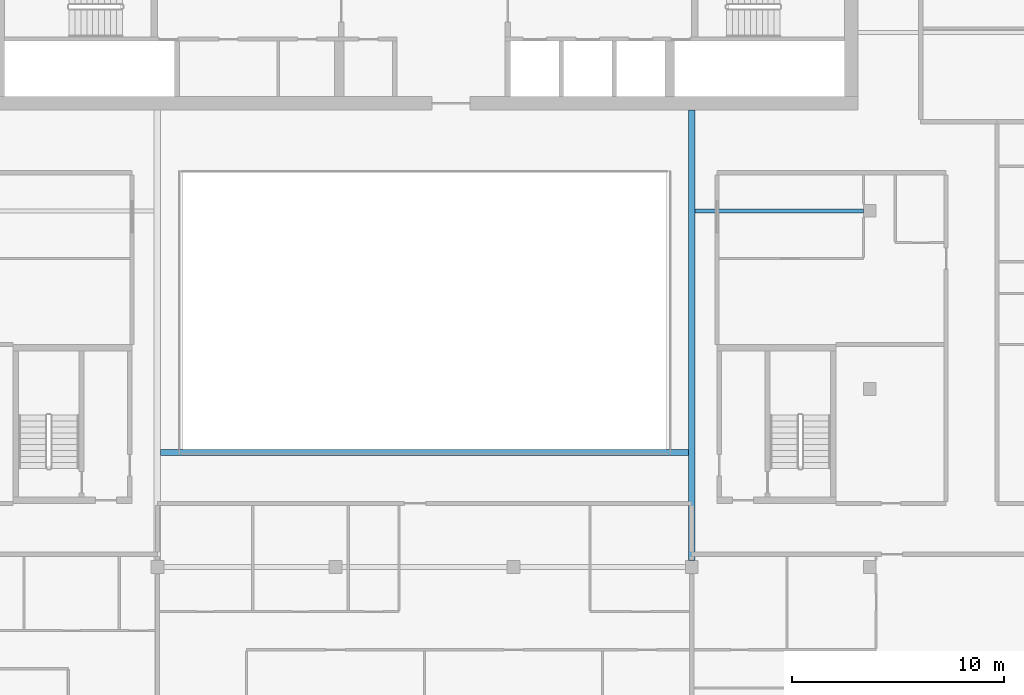
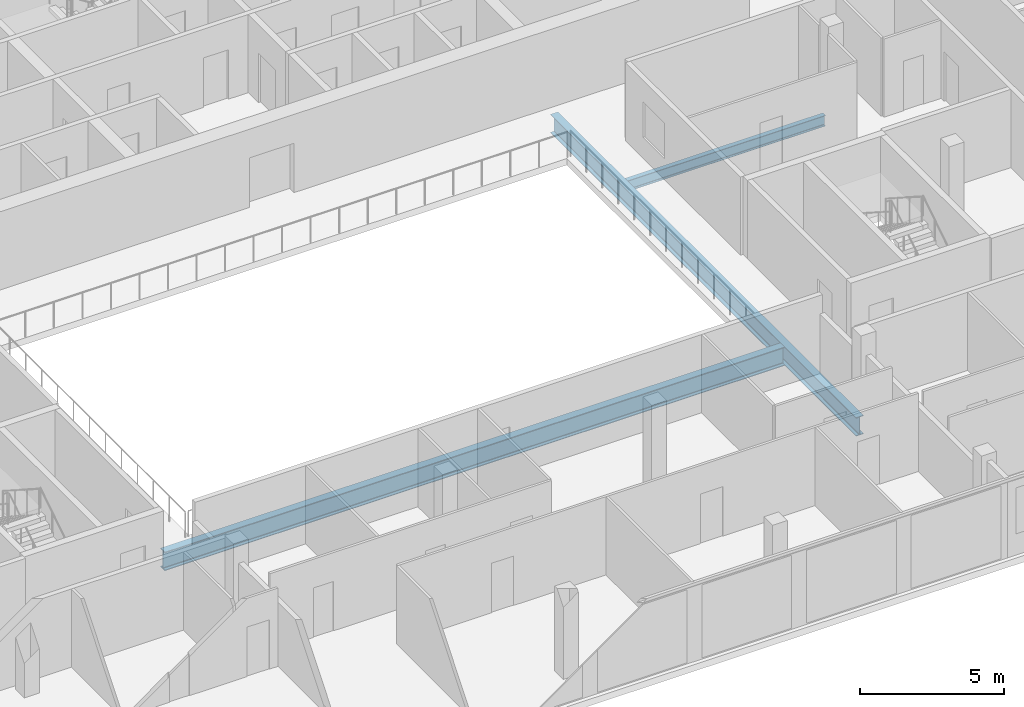
# One storey, part 7 of 29: 3 beams.
"""IFC4 building model written with IfcOpenShell, lengths in metres."""

from ifc_helpers import new_model, si_unit, direction, frame, origin, origin_2d, place, context, subcontext, project, spatial, i_section, extrude, material, material_profile, profile_set, type_object, element, save


model = new_model("IFC4")

# Units and contexts
model_context = context("Model", 3, precision=1e-05, world=origin(), true_north=direction((0.0, 1.0)))
body_context = subcontext(model_context, "Body", "Model", "MODEL_VIEW")
ifc_project = project(units=[si_unit("LENGTHUNIT", "METRE"), si_unit("AREAUNIT", "SQUARE_METRE"), si_unit("VOLUMEUNIT", "CUBIC_METRE"), si_unit("PLANEANGLEUNIT", "RADIAN"), si_unit("MASSUNIT", "GRAM", prefix="KILO")], contexts=[model_context])

# Site, building, storey
site_placement = place(None, origin())
site = spatial("IfcSite", under=ifc_project, at=site_placement, CompositionType="ELEMENT")
building_placement = place(site_placement, origin())
building = spatial("IfcBuilding", under=site, at=building_placement, Name="Saffron Gate Tower", CompositionType="ELEMENT")
storey_placement = place(building_placement, frame((0.0, 0.0, 219.89990234375)))
storey = spatial("IfcBuildingStorey", under=building, at=storey_placement, Name="L53", CompositionType="ELEMENT", Elevation=219.89990234375)

# Beams
ifc_material = material(Name="Structural steel S355", Category="steel")
ifc_material_profile_1 = material_profile(ifc_material, i_section(OverallWidth=0.300048828125, OverallDepth=0.7900390625, WebThickness=0.014892578125, FlangeThickness=0.028076171875, FilletRadius=0.030029296875, at=origin_2d()))
ifc_profile_set_1 = profile_set([ifc_material_profile_1], Name="Structural steel S355")
beam_type_1 = type_object("IfcBeamType", Name="B18 HEA 800", PredefinedType="BEAM", material=ifc_profile_set_1)
beam_1_placement = place(storey_placement, frame((100.199951171875, 40.5, -0.6748046875), z_axis=(0.0, 1.0, 0.0), x_axis=(-1.0, 0.0, 0.0)))
element("IfcBeam", 1, at=beam_1_placement, inside=storey, type_object=beam_type_1, Name="B18 ATRIUM GIRDER", PredefinedType="BEAM", context=body_context, shape_type="SweptSolid", body=[
    extrude(i_section(OverallWidth=0.300048828125, OverallDepth=0.7900390625, WebThickness=0.014892578125, FlangeThickness=0.028076171875, FilletRadius=0.030029296875, at=origin_2d()), origin(), (0.0, 0.0, 1.0), 21.25),
])
beam_2_placement = place(storey_placement, frame((75.14990234375, 45.60009765625, -0.6748046875), z_axis=(1.0, 0.0, 0.0), x_axis=(0.0, 1.0, 0.0)))
element("IfcBeam", 2, at=beam_2_placement, inside=storey, type_object=beam_type_1, Name="B18 ATRIUM GIRDER", PredefinedType="BEAM", context=body_context, shape_type="SweptSolid", body=[
    extrude(i_section(OverallWidth=0.300048828125, OverallDepth=0.7900390625, WebThickness=0.014892578125, FlangeThickness=0.028076171875, FilletRadius=0.030029296875, at=origin_2d()), origin(), (0.0, 0.0, 1.0), 24.900146484375),
])
ifc_material_profile_2 = material_profile(ifc_material, i_section(OverallWidth=0.18994140625, OverallDepth=0.449951171875, WebThickness=0.009521484375, FlangeThickness=0.0146484375, FilletRadius=0.02099609375, at=origin_2d()))
ifc_profile_set_2 = profile_set([ifc_material_profile_2], Name="Structural steel S355")
beam_type_2 = type_object("IfcBeamType", Name="B6 IPE 450", PredefinedType="BEAM", material=ifc_profile_set_2)
beam_3_placement = place(storey_placement, frame((108.300048828125, 57.0, -0.5048828125), z_axis=(-1.0, 0.0, 0.0), x_axis=(0.0, -1.0, 0.0)))
element("IfcBeam", 3, at=beam_3_placement, inside=storey, type_object=beam_type_2, Name="B6 CORE TIE BEAM", PredefinedType="BEAM", context=body_context, shape_type="SweptSolid", body=[
    extrude(i_section(OverallWidth=0.18994140625, OverallDepth=0.449951171875, WebThickness=0.009521484375, FlangeThickness=0.0146484375, FilletRadius=0.02099609375, at=origin_2d()), origin(), (0.0, 0.0, 1.0), 7.949951171875),
])

save(model, "model.ifc")
